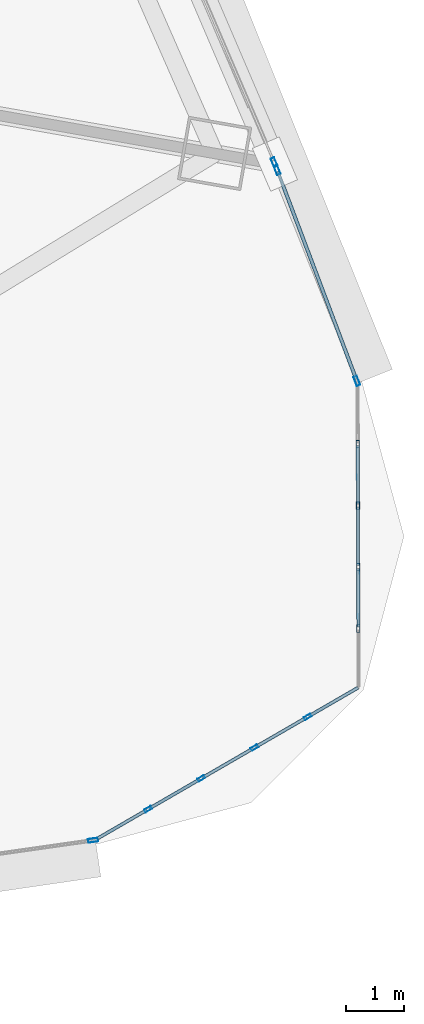
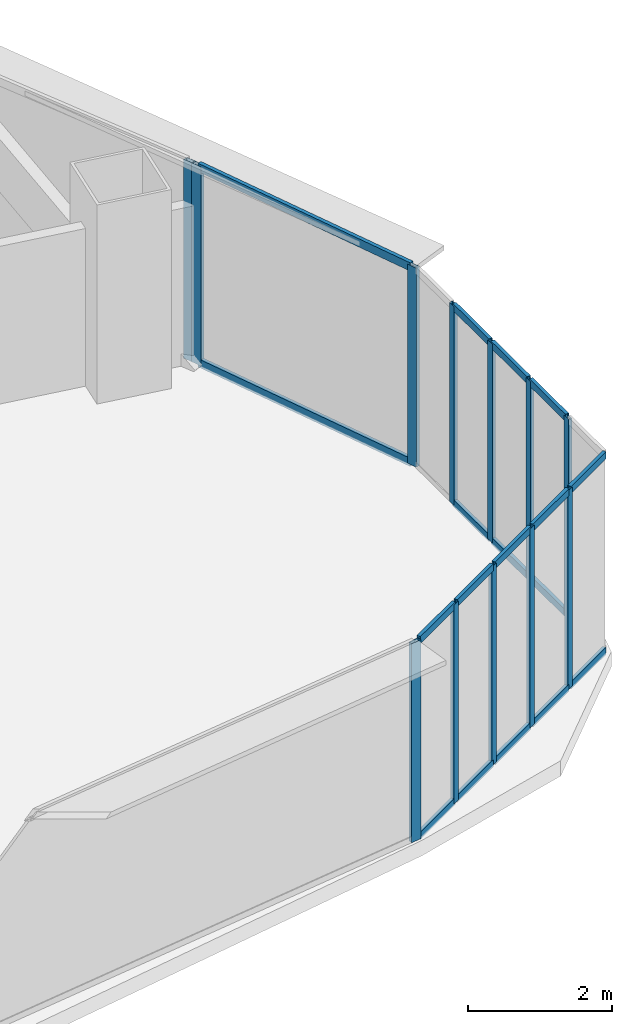
# One storey, part 22 of 41: 30 members, 5 elements without a shape of their own.
"""IFC4 building model written with IfcOpenShell, lengths in metres."""

import ifcopenshell
import ifcopenshell.guid

model = None  # the IFC model being written
_history = None  # IfcOwnerHistory: only IFC2X3 demands one
_inside = {}  # id of a spatial element -> (the spatial element, [elements in it])
_under = {}  # id of a project, library or spatial element -> (it, [spatial elements below it])
_declared = {}  # id of a project -> (the project, [libraries it declares])
_typed = {}  # id of a type object -> (the type object, [elements of that type])
_made_of = {}  # id of a material, layer set ... -> (it, [elements and type objects made of it])


def new_model(schema):
    """Start an empty IFC model of exactly this schema.

    Asked for "IFC4X3", IfcOpenShell would pick the latest addendum, in which some entities
    have other attributes; the version numbers below select the first issue.
    IFC2X3 requires an IfcOwnerHistory on every rooted entity: one is made here for all.
    """
    global model, _history
    if schema == "IFC4X3":
        model = ifcopenshell.file(schema_version=(4, 3, 0, 0))
    else:
        model = ifcopenshell.file(schema=schema)
    _inside.clear()
    _under.clear()
    _declared.clear()
    _typed.clear()
    _made_of.clear()
    _history = None
    if model.schema == "IFC2X3":
        org = make("IfcOrganization", Name="unknown")
        user = make(
            "IfcPersonAndOrganization",
            ThePerson=make("IfcPerson", FamilyName="unknown"),
            TheOrganization=org,
        )
        app = make(
            "IfcApplication",
            ApplicationDeveloper=org,
            Version="unknown",
            ApplicationFullName="unknown",
            ApplicationIdentifier="unknown",
        )
        _history = make(
            "IfcOwnerHistory",
            OwningUser=user,
            OwningApplication=app,
            ChangeAction="ADDED",
            CreationDate=0,
        )
    return model


def make(cls, **values):
    """One entity of the class cls with the attributes given. An attribute that is None is left unset."""
    return model.create_entity(
        cls, **{name: value for name, value in values.items() if value is not None}
    )


def rooted(cls, **values):
    """An entity with a GlobalId (a new one), such as an element, a storey or a relation."""
    return make(cls, GlobalId=ifcopenshell.guid.new(), OwnerHistory=_history, **values)


def si_unit(unit_type, name, prefix=None):
    """IfcSIUnit, for example si_unit("LENGTHUNIT", "METRE", prefix="MILLI")."""
    return make("IfcSIUnit", UnitType=unit_type, Prefix=prefix, Name=name)


def assignment(units):
    """IfcUnitAssignment: the units of a project."""
    return None if units is None else make("IfcUnitAssignment", Units=units)


def point(xyz):
    """IfcCartesianPoint."""
    return None if xyz is None else make("IfcCartesianPoint", Coordinates=xyz)


def direction(xyz):
    """IfcDirection."""
    return None if xyz is None else make("IfcDirection", DirectionRatios=xyz)


def frame(location, z_axis=None, x_axis=None):
    """IfcAxis2Placement3D, a coordinate frame: its origin and axes. An axis left out is left unset."""
    return make(
        "IfcAxis2Placement3D",
        Location=point(location),
        Axis=direction(z_axis),
        RefDirection=direction(x_axis),
    )


def frame_2d(location, x_axis=None):
    """IfcAxis2Placement2D, a coordinate frame in the plane: its origin and x axis."""
    return make(
        "IfcAxis2Placement2D", Location=point(location), RefDirection=direction(x_axis)
    )


def origin():
    """The frame at (0, 0, 0) with its axes left unset."""
    return frame((0.0, 0.0, 0.0))


def origin_2d():
    """The frame at (0, 0) in the plane with its x axis left unset."""
    return frame_2d((0.0, 0.0))


def place(relative_to, where):
    """IfcLocalPlacement: puts the frame where relative to a parent placement (None: the world)."""
    return make(
        "IfcLocalPlacement", PlacementRelTo=relative_to, RelativePlacement=where
    )


def context(
    kind, dimensions, precision=None, world=None, true_north=None, identifier=None
):
    """IfcGeometricRepresentationContext, for example the 3D "Model" context."""
    return make(
        "IfcGeometricRepresentationContext",
        ContextIdentifier=identifier,
        ContextType=kind,
        CoordinateSpaceDimension=dimensions,
        Precision=precision,
        WorldCoordinateSystem=world,
        TrueNorth=true_north,
    )


def subcontext(parent, identifier, kind, view, scale=None):
    """IfcGeometricRepresentationSubContext, for example "Body" below "Model"."""
    return make(
        "IfcGeometricRepresentationSubContext",
        ContextIdentifier=identifier,
        ContextType=kind,
        ParentContext=parent,
        TargetScale=scale,
        TargetView=view,
    )


def project(units=None, contexts=None):
    """IfcProject with its units and contexts."""
    return rooted(
        "IfcProject",
        Name="project",
        RepresentationContexts=contexts,
        UnitsInContext=assignment(units),
    )


def spatial(cls, under=None, at=None, **own):
    """A site, building, storey or space (cls), placed at a placement, below another one or the project."""
    s = rooted(cls, ObjectPlacement=at, **own)
    if under is not None:
        _under.setdefault(under.id(), (under, []))[1].append(s)
    return s


def profile(cls, at=None, kind="AREA", **sizes):
    """A parametric profile (cls). Its sizes go by their IFC names, for example OverallWidth=200.0."""
    return make(cls, ProfileType=kind, Position=at, **sizes)


def hollow_rectangle(**sizes):
    """IfcRectangleHollowProfileDef."""
    return profile("IfcRectangleHollowProfileDef", **sizes)


def extrude(swept, where, along, depth):
    """IfcExtrudedAreaSolid: the profile swept, set in the frame where, extruded along a direction by depth."""
    return make(
        "IfcExtrudedAreaSolid",
        SweptArea=swept,
        Position=where,
        ExtrudedDirection=direction(along),
        Depth=depth,
    )


def shape(context_of_items, identifier, shape_type, items):
    """IfcShapeRepresentation: the items that make up one representation, for example the "Body"."""
    return make(
        "IfcShapeRepresentation",
        ContextOfItems=context_of_items,
        RepresentationIdentifier=identifier,
        RepresentationType=shape_type,
        Items=items,
    )


def source(mapping_origin, context_of_items, identifier, shape_type, items):
    """IfcRepresentationMap: a shape defined once, which mapped items show again and again."""
    return make(
        "IfcRepresentationMap",
        MappingOrigin=mapping_origin,
        MappedRepresentation=shape(context_of_items, identifier, shape_type, items),
    )


def transform(
    local_origin,
    x_axis=None,
    y_axis=None,
    z_axis=None,
    scale=None,
    scale2=None,
    scale3=None,
    uniform=True,
):
    """IfcCartesianTransformationOperator3D, or its non-uniform kind. x_axis, y_axis, z_axis: its Axis1, 2, 3."""
    if uniform:
        return make(
            "IfcCartesianTransformationOperator3D",
            Axis1=direction(x_axis),
            Axis2=direction(y_axis),
            LocalOrigin=point(local_origin),
            Scale=scale,
            Axis3=direction(z_axis),
        )
    return make(
        "IfcCartesianTransformationOperator3DnonUniform",
        Axis1=direction(x_axis),
        Axis2=direction(y_axis),
        LocalOrigin=point(local_origin),
        Scale=scale,
        Axis3=direction(z_axis),
        Scale2=scale2,
        Scale3=scale3,
    )


def mapped(mapping_source, mapping_target):
    """IfcMappedItem: shows the shape of a source again, moved by a transform."""
    return make(
        "IfcMappedItem", MappingSource=mapping_source, MappingTarget=mapping_target
    )


def material(Name=None, Category=None):
    """IfcMaterial."""
    return make("IfcMaterial", Name=Name, Category=Category)


def layer(
    of_material, thickness, ventilated=None, Name=None, Category=None, Priority=None
):
    """IfcMaterialLayer: one layer of a wall or slab, of a material (None: an air gap)."""
    return make(
        "IfcMaterialLayer",
        Material=of_material,
        LayerThickness=thickness,
        IsVentilated=ventilated,
        Name=Name,
        Category=Category,
        Priority=Priority,
    )


def layer_set(layers, Name=None):
    """IfcMaterialLayerSet."""
    return make("IfcMaterialLayerSet", MaterialLayers=layers, LayerSetName=Name)


def material_profile(
    of_material, cross_section, Name=None, Category=None, Priority=None
):
    """IfcMaterialProfile: a cross section and its material."""
    return make(
        "IfcMaterialProfile",
        Name=Name,
        Material=of_material,
        Profile=cross_section,
        Priority=Priority,
        Category=Category,
    )


def profile_set(profiles, Name=None, composite=None):
    """IfcMaterialProfileSet."""
    return make(
        "IfcMaterialProfileSet",
        Name=Name,
        MaterialProfiles=profiles,
        CompositeProfile=composite,
    )


def made_of(thing, what):
    """Note that an element or type object is made of a material, layer set ...; save() writes the relation."""
    if what is not None:
        _made_of.setdefault(what.id(), (what, []))[1].append(thing)
    return thing


def type_object(cls, material=None, **own):
    """A type object (cls), such as IfcWallType, which elements share."""
    return made_of(rooted(cls, **own), material)


def element(
    cls,
    number,
    at=None,
    inside=None,
    cuts=None,
    type_object=None,
    material=None,
    context=None,
    identifier="Body",
    shape_type=None,
    held_by="IfcProductDefinitionShape",
    body=None,
    shapes=None,
    **own,
):
    """One element of the class cls, such as IfcWall. Its Tag is "e" and its number.

    at: its placement. inside: the storey or other place that contains it. cuts: it is an
    opening in that element (IfcRelVoidsElement). A single representation is given by context,
    identifier, shape_type and body (its items); several are given by shapes. held_by: the class
    of the entity that holds the representations. save() writes the other relations.
    """
    e = rooted(cls, Tag="e%d" % number, ObjectPlacement=at, **own)
    if body is not None:
        shapes = [shape(context, identifier, shape_type, body)]
    if shapes is not None:
        e.Representation = make(held_by, Representations=shapes)
    if inside is not None:
        _inside.setdefault(inside.id(), (inside, []))[1].append(e)
    if cuts is not None:
        rooted(
            "IfcRelVoidsElement", RelatingBuildingElement=cuts, RelatedOpeningElement=e
        )
    if type_object is not None:
        _typed.setdefault(type_object.id(), (type_object, []))[1].append(e)
    return made_of(e, material)


def aggregate(whole, parts):
    """IfcRelAggregates: a whole, such as a stair, and the parts it consists of."""
    return rooted("IfcRelAggregates", RelatingObject=whole, RelatedObjects=parts)


def save(model, path):
    """Write the relations noted so far, then the file.

    IfcRelAggregates (storeys below a building ...), IfcRelContainedInSpatialStructure (elements
    in a storey), IfcRelDefinesByType, IfcRelAssociatesMaterial and IfcRelDeclares: one each for
    every whole, place, type object, material and project.
    """
    for whole, parts in _under.values():
        aggregate(whole, parts)
    for where, things in _inside.values():
        rooted(
            "IfcRelContainedInSpatialStructure",
            RelatedElements=things,
            RelatingStructure=where,
        )
    for kind, things in _typed.values():
        rooted("IfcRelDefinesByType", RelatedObjects=things, RelatingType=kind)
    for what, things in _made_of.values():
        rooted("IfcRelAssociatesMaterial", RelatedObjects=things, RelatingMaterial=what)
    for by, libraries in _declared.values():
        rooted("IfcRelDeclares", RelatingContext=by, RelatedDefinitions=libraries)
    model.write(path)


model = new_model("IFC4")

# Units and contexts
model_context = context("Model", 3, precision=1e-05, world=origin(), true_north=direction((0.0, 1.0)))
body_context = subcontext(model_context, "Body", "Model", "MODEL_VIEW")
ifc_project = project(units=[si_unit("LENGTHUNIT", "METRE"), si_unit("AREAUNIT", "SQUARE_METRE"), si_unit("VOLUMEUNIT", "CUBIC_METRE"), si_unit("PLANEANGLEUNIT", "RADIAN"), si_unit("MASSUNIT", "GRAM", prefix="KILO"), si_unit("THERMODYNAMICTEMPERATUREUNIT", "KELVIN"), si_unit("POWERUNIT", "WATT")], contexts=[model_context])

# Site, building, storey
site_placement = place(None, origin())
site = spatial("IfcSite", under=ifc_project, at=site_placement, CompositionType="ELEMENT")
building_placement = place(site_placement, origin())
building = spatial("IfcBuilding", under=site, at=building_placement, Name="Yunzhuo Pagoda Commons", CompositionType="ELEMENT")
storey_placement = place(building_placement, frame((0.0, 0.0, 63.070068359375)))
storey = spatial("IfcBuildingStorey", under=building, at=storey_placement, Name="L16", CompositionType="ELEMENT", Elevation=63.070068359375)

# Curtain wall, member
ifc_material = material(Name="Anodized aluminium 6063-T6", Category="aluminium")
ifc_layer_1 = layer(ifc_material, 0.1650390625)
ifc_layer_set_1 = layer_set([ifc_layer_1], Name="Anodized aluminium 6063-T6")
curtain_wall_type_1 = type_object("IfcCurtainWallType", Name="CW-LOW Low-Zone Ribbon Curtain Wall", PredefinedType="NOTDEFINED", material=ifc_layer_set_1)
curtain_wall_1_placement = place(storey_placement, origin())
curtain_wall_1 = element("IfcCurtainWall", 1, at=curtain_wall_1_placement, inside=storey, type_object=curtain_wall_type_1, Name="L16 curtain wall CW-L16-F1B5", PredefinedType="NOTDEFINED")
ifc_material_profile_1 = material_profile(ifc_material, hollow_rectangle(XDim=0.06494140625, YDim=0.1650390625, WallThickness=0.00390625, at=origin_2d()), Name="Anodized aluminium 6063-T6")
ifc_profile_set_1 = profile_set([ifc_material_profile_1], Name="Anodized aluminium 6063-T6")
member_type_1 = type_object("IfcMemberType", Name="CW-LOW-M Mullion RHS 165x65x4", PredefinedType="MULLION", material=ifc_profile_set_1)
shared_shape_1 = source(origin(), body_context, "Body", "SweptSolid", [
    extrude(hollow_rectangle(XDim=0.06494140625, YDim=0.1650390625, WallThickness=0.00390625, at=origin_2d()), origin(), (0.0, 0.0, 1.0), 3.369873046875),
])
member_1_placement = place(storey_placement, frame((85.9619140625, 14.861083984375, 0.0), z_axis=(0.0, 0.0, 1.0), x_axis=(-0.141139872999, 0.989989664719, 0.0)))
member_1 = element("IfcMember", 2, at=member_1_placement, type_object=member_type_1, Name="CW mullion 2", PredefinedType="MULLION", context=body_context, shape_type="MappedRepresentation", body=[
    mapped(shared_shape_1, transform((0.0, 0.0, 0.0), scale=1.0)),
])
aggregate(curtain_wall_1, [member_1])

curtain_wall_2_placement = place(storey_placement, origin())
curtain_wall_2 = element("IfcCurtainWall", 3, at=curtain_wall_2_placement, inside=storey, type_object=curtain_wall_type_1, Name="L16 curtain wall CW-L16-F2B2", PredefinedType="NOTDEFINED")
member_2_placement = place(storey_placement, frame((89.06884765625, 26.486083984375, 0.0), z_axis=(0.0, 0.0, 1.0), x_axis=(-0.919121093161, -0.39397514656, 0.0)))
member_2 = element("IfcMember", 4, at=member_2_placement, type_object=member_type_1, Name="CW mullion 1", PredefinedType="MULLION", context=body_context, shape_type="MappedRepresentation", body=[
    mapped(shared_shape_1, transform((0.0, 0.0, 0.0), scale=1.0)),
])
aggregate(curtain_wall_2, [member_2])

# Curtain wall, members
curtain_wall_3_placement = place(storey_placement, origin())
curtain_wall_3 = element("IfcCurtainWall", 5, at=curtain_wall_3_placement, inside=storey, type_object=curtain_wall_type_1, Name="L16 curtain wall CW-L16-F2B1", PredefinedType="NOTDEFINED")
member_3_placement = place(storey_placement, frame((90.485595703125, 22.738525390625, 0.0), z_axis=(0.0, 0.0, 1.0), x_axis=(-0.9355133863, -0.353291245367, 0.0)))
member_3 = element("IfcMember", 6, at=member_3_placement, type_object=member_type_1, Name="CW mullion 1", PredefinedType="MULLION", context=body_context, shape_type="MappedRepresentation", body=[
    mapped(shared_shape_1, transform((0.0, 0.0, 0.0), scale=1.0)),
])
member_4_placement = place(storey_placement, frame((89.11962890625, 26.355712890625, 0.0), z_axis=(0.0, 0.0, 1.0), x_axis=(-0.9355133863, -0.353291245367, 0.0)))
member_4 = element("IfcMember", 7, at=member_4_placement, type_object=member_type_1, Name="CW mullion 2", PredefinedType="MULLION", context=body_context, shape_type="MappedRepresentation", body=[
    mapped(shared_shape_1, transform((0.0, 0.0, 0.0), scale=1.0)),
])

ifc_layer_2 = layer(ifc_material, 0.1298828125)
ifc_layer_set_2 = layer_set([ifc_layer_2], Name="Anodized aluminium 6063-T6")
curtain_wall_type_2 = type_object("IfcCurtainWallType", Name="CW-VTX Rounded Corner Curtain Wall", PredefinedType="NOTDEFINED", material=ifc_layer_set_2)
curtain_wall_4_placement = place(storey_placement, origin())
curtain_wall_4 = element("IfcCurtainWall", 8, at=curtain_wall_4_placement, inside=storey, type_object=curtain_wall_type_2, Name="L16 curtain wall CW-L16-VTX2S1", PredefinedType="NOTDEFINED")
ifc_material_profile_2 = material_profile(ifc_material, hollow_rectangle(XDim=0.054931640625, YDim=0.1298828125, WallThickness=0.00341796875, at=origin_2d()), Name="Anodized aluminium 6063-T6")
ifc_profile_set_2 = profile_set([ifc_material_profile_2], Name="Anodized aluminium 6063-T6")
member_type_2 = type_object("IfcMemberType", Name="CW-VTX-M Mullion RHS 130x55x3.5", PredefinedType="MULLION", material=ifc_profile_set_2)
shared_shape_2 = source(origin(), body_context, "Body", "SweptSolid", [
    extrude(hollow_rectangle(XDim=0.054931640625, YDim=0.1298828125, WallThickness=0.00341796875, at=origin_2d()), origin(), (0.0, 0.0, 1.0), 3.369873046875),
])
member_5_placement = place(storey_placement, frame((86.906494140625, 15.393798828125, 0.0), z_axis=(0.0, 0.0, 1.0), x_axis=(-0.501038514064, 0.865424986596, 0.0)))
member_5 = element("IfcMember", 9, at=member_5_placement, type_object=member_type_2, Name="CW mullion 2", PredefinedType="MULLION", context=body_context, shape_type="MappedRepresentation", body=[
    mapped(shared_shape_2, transform((0.0, 0.0, 0.0), scale=1.0)),
])
member_6_placement = place(storey_placement, frame((87.81884765625, 15.922119140625, 0.0), z_axis=(0.0, 0.0, 1.0), x_axis=(-0.501038514064, 0.865424986596, 0.0)))
member_6 = element("IfcMember", 10, at=member_6_placement, type_object=member_type_2, Name="CW mullion 3", PredefinedType="MULLION", context=body_context, shape_type="MappedRepresentation", body=[
    mapped(shared_shape_2, transform((0.0, 0.0, 0.0), scale=1.0)),
])
member_7_placement = place(storey_placement, frame((88.731201171875, 16.4501953125, 0.0), z_axis=(0.0, 0.0, 1.0), x_axis=(-0.501038514064, 0.865424986596, 0.0)))
member_7 = element("IfcMember", 11, at=member_7_placement, type_object=member_type_2, Name="CW mullion 4", PredefinedType="MULLION", context=body_context, shape_type="MappedRepresentation", body=[
    mapped(shared_shape_2, transform((0.0, 0.0, 0.0), scale=1.0)),
])
member_8_placement = place(storey_placement, frame((89.6435546875, 16.978515625, 0.0), z_axis=(0.0, 0.0, 1.0), x_axis=(-0.501038514064, 0.865424986596, 0.0)))
member_8 = element("IfcMember", 12, at=member_8_placement, type_object=member_type_2, Name="CW mullion 5", PredefinedType="MULLION", context=body_context, shape_type="MappedRepresentation", body=[
    mapped(shared_shape_2, transform((0.0, 0.0, 0.0), scale=1.0)),
])

curtain_wall_5_placement = place(storey_placement, origin())
curtain_wall_5 = element("IfcCurtainWall", 13, at=curtain_wall_5_placement, inside=storey, type_object=curtain_wall_type_2, Name="L16 curtain wall CW-L16-VTX2S2", PredefinedType="NOTDEFINED")
member_9_placement = place(storey_placement, frame((90.51220703125, 18.4912109375, 0.0), z_axis=(0.0, 0.0, 1.0), x_axis=(-0.999993571837, -0.003585566294, 0.0)))
member_9 = element("IfcMember", 14, at=member_9_placement, type_object=member_type_2, Name="CW mullion 2", PredefinedType="MULLION", context=body_context, shape_type="MappedRepresentation", body=[
    mapped(shared_shape_2, transform((0.0, 0.0, 0.0), scale=1.0)),
])
member_10_placement = place(storey_placement, frame((90.508544921875, 19.545654296875, 0.0), z_axis=(0.0, 0.0, 1.0), x_axis=(-0.999993571837, -0.003585566294, 0.0)))
member_10 = element("IfcMember", 15, at=member_10_placement, type_object=member_type_2, Name="CW mullion 3", PredefinedType="MULLION", context=body_context, shape_type="MappedRepresentation", body=[
    mapped(shared_shape_2, transform((0.0, 0.0, 0.0), scale=1.0)),
])
member_11_placement = place(storey_placement, frame((90.504638671875, 20.60009765625, 0.0), z_axis=(0.0, 0.0, 1.0), x_axis=(-0.999993571837, -0.003585566294, 0.0)))
member_11 = element("IfcMember", 16, at=member_11_placement, type_object=member_type_2, Name="CW mullion 4", PredefinedType="MULLION", context=body_context, shape_type="MappedRepresentation", body=[
    mapped(shared_shape_2, transform((0.0, 0.0, 0.0), scale=1.0)),
])
member_12_placement = place(storey_placement, frame((90.5009765625, 21.654052734375, 0.0), z_axis=(0.0, 0.0, 1.0), x_axis=(-0.999993571837, -0.003585566294, 0.0)))
member_12 = element("IfcMember", 17, at=member_12_placement, type_object=member_type_2, Name="CW mullion 5", PredefinedType="MULLION", context=body_context, shape_type="MappedRepresentation", body=[
    mapped(shared_shape_2, transform((0.0, 0.0, 0.0), scale=1.0)),
])

# Member
ifc_material_profile_3 = material_profile(ifc_material, hollow_rectangle(XDim=0.06005859375, YDim=0.139892578125, WallThickness=0.00341796875, at=origin_2d()), Name="Anodized aluminium 6063-T6")
ifc_profile_set_3 = profile_set([ifc_material_profile_3], Name="Anodized aluminium 6063-T6")
member_type_3 = type_object("IfcMemberType", Name="CW-LOW-T Transom RHS 140x60x3.5", PredefinedType="USERDEFINED", material=ifc_profile_set_3)
shared_shape_3 = source(origin(), body_context, "Body", "SweptSolid", [
    extrude(hollow_rectangle(XDim=0.06005859375, YDim=0.139892578125, WallThickness=0.00341796875, at=origin_2d()), origin(), (0.0, 0.0, 1.0), 3.80126953125),
])
member_13_placement = place(storey_placement, frame((90.47412109375, 22.76904296875, 0.030029296875), z_axis=(-0.353248184637, 0.935529646805, 0.0), x_axis=(-0.935529646805, -0.353248184637, 0.0)))
member_13 = element("IfcMember", 18, at=member_13_placement, type_object=member_type_3, Name="CW transom 1.1", ObjectType="TRANSOM", PredefinedType="USERDEFINED", context=body_context, shape_type="MappedRepresentation", body=[
    mapped(shared_shape_3, transform((0.0, 0.0, 0.0), scale=1.0)),
])

member_14_placement = place(storey_placement, frame((90.47412109375, 22.76904296875, 3.33984375), z_axis=(-0.353248184637, 0.935529646805, 0.0), x_axis=(-0.935529646805, -0.353248184637, 0.0)))
member_14 = element("IfcMember", 19, at=member_14_placement, type_object=member_type_3, Name="CW transom 1.2", ObjectType="TRANSOM", PredefinedType="USERDEFINED", context=body_context, shape_type="MappedRepresentation", body=[
    mapped(shared_shape_3, transform((0.0, 0.0, 0.0), scale=1.0)),
])

aggregate(curtain_wall_3, [member_3, member_4, member_13, member_14])

ifc_material_profile_4 = material_profile(ifc_material, hollow_rectangle(XDim=0.054931640625, YDim=0.1201171875, WallThickness=0.00341796875, at=origin_2d()), Name="Anodized aluminium 6063-T6")
ifc_profile_set_4 = profile_set([ifc_material_profile_4], Name="Anodized aluminium 6063-T6")
member_type_4 = type_object("IfcMemberType", Name="CW-VTX-T Transom RHS 120x55x3.5", PredefinedType="USERDEFINED", material=ifc_profile_set_4)
shared_shape_4 = source(origin(), body_context, "Body", "SweptSolid", [
    extrude(hollow_rectangle(XDim=0.054931640625, YDim=0.1201171875, WallThickness=0.00341796875, at=origin_2d()), origin(), (0.0, 0.0, 1.0), 0.999267578125),
])
member_15_placement = place(storey_placement, frame((86.930419921875, 15.407470703125, 0.02734375), z_axis=(0.86538725222, 0.501103685574, 0.0), x_axis=(-0.501103685574, 0.86538725222, 0.0)))
member_15 = element("IfcMember", 20, at=member_15_placement, type_object=member_type_4, Name="CW transom 2.1", ObjectType="TRANSOM", PredefinedType="USERDEFINED", context=body_context, shape_type="MappedRepresentation", body=[
    mapped(shared_shape_4, transform((0.0, 0.0, 0.0), scale=1.0)),
])

member_16_placement = place(storey_placement, frame((86.930419921875, 15.407470703125, 3.342529296875), z_axis=(0.86538725222, 0.501103685574, 0.0), x_axis=(-0.501103685574, 0.86538725222, 0.0)))
member_16 = element("IfcMember", 21, at=member_16_placement, type_object=member_type_4, Name="CW transom 2.2", ObjectType="TRANSOM", PredefinedType="USERDEFINED", context=body_context, shape_type="MappedRepresentation", body=[
    mapped(shared_shape_4, transform((0.0, 0.0, 0.0), scale=1.0)),
])

member_17_placement = place(storey_placement, frame((88.755126953125, 16.4638671875, 0.02734375), z_axis=(0.86538725222, 0.501103685574, 0.0), x_axis=(-0.501103685574, 0.86538725222, 0.0)))
member_17 = element("IfcMember", 22, at=member_17_placement, type_object=member_type_4, Name="CW transom 4.1", ObjectType="TRANSOM", PredefinedType="USERDEFINED", context=body_context, shape_type="MappedRepresentation", body=[
    mapped(shared_shape_4, transform((0.0, 0.0, 0.0), scale=1.0)),
])

member_18_placement = place(storey_placement, frame((88.755126953125, 16.4638671875, 3.342529296875), z_axis=(0.86538725222, 0.501103685574, 0.0), x_axis=(-0.501103685574, 0.86538725222, 0.0)))
member_18 = element("IfcMember", 23, at=member_18_placement, type_object=member_type_4, Name="CW transom 4.2", ObjectType="TRANSOM", PredefinedType="USERDEFINED", context=body_context, shape_type="MappedRepresentation", body=[
    mapped(shared_shape_4, transform((0.0, 0.0, 0.0), scale=1.0)),
])

member_19_placement = place(storey_placement, frame((90.51220703125, 18.518798828125, 0.02734375), z_axis=(-0.00366476894, 0.999993284712, 0.0), x_axis=(-0.999993284712, -0.00366476894, 0.0)))
member_19 = element("IfcMember", 24, at=member_19_placement, type_object=member_type_4, Name="CW transom 2.1", ObjectType="TRANSOM", PredefinedType="USERDEFINED", context=body_context, shape_type="MappedRepresentation", body=[
    mapped(shared_shape_4, transform((0.0, 0.0, 0.0), scale=1.0)),
])

member_20_placement = place(storey_placement, frame((90.51220703125, 18.518798828125, 3.342529296875), z_axis=(-0.00366476894, 0.999993284712, 0.0), x_axis=(-0.999993284712, -0.00366476894, 0.0)))
member_20 = element("IfcMember", 25, at=member_20_placement, type_object=member_type_4, Name="CW transom 2.2", ObjectType="TRANSOM", PredefinedType="USERDEFINED", context=body_context, shape_type="MappedRepresentation", body=[
    mapped(shared_shape_4, transform((0.0, 0.0, 0.0), scale=1.0)),
])

member_21_placement = place(storey_placement, frame((90.50830078125, 19.572998046875, 0.02734375), z_axis=(-0.00366476894, 0.999993284712, 0.0), x_axis=(-0.999993284712, -0.00366476894, 0.0)))
member_21 = element("IfcMember", 26, at=member_21_placement, type_object=member_type_4, Name="CW transom 3.1", ObjectType="TRANSOM", PredefinedType="USERDEFINED", context=body_context, shape_type="MappedRepresentation", body=[
    mapped(shared_shape_4, transform((0.0, 0.0, 0.0), scale=1.0)),
])

member_22_placement = place(storey_placement, frame((90.50830078125, 19.572998046875, 3.342529296875), z_axis=(-0.00366476894, 0.999993284712, 0.0), x_axis=(-0.999993284712, -0.00366476894, 0.0)))
member_22 = element("IfcMember", 27, at=member_22_placement, type_object=member_type_4, Name="CW transom 3.2", ObjectType="TRANSOM", PredefinedType="USERDEFINED", context=body_context, shape_type="MappedRepresentation", body=[
    mapped(shared_shape_4, transform((0.0, 0.0, 0.0), scale=1.0)),
])

member_23_placement = place(storey_placement, frame((90.504638671875, 20.627197265625, 0.02734375), z_axis=(-0.00366476894, 0.999993284712, 0.0), x_axis=(-0.999993284712, -0.00366476894, 0.0)))
member_23 = element("IfcMember", 28, at=member_23_placement, type_object=member_type_4, Name="CW transom 4.1", ObjectType="TRANSOM", PredefinedType="USERDEFINED", context=body_context, shape_type="MappedRepresentation", body=[
    mapped(shared_shape_4, transform((0.0, 0.0, 0.0), scale=1.0)),
])

member_24_placement = place(storey_placement, frame((90.504638671875, 20.627197265625, 3.342529296875), z_axis=(-0.00366476894, 0.999993284712, 0.0), x_axis=(-0.999993284712, -0.00366476894, 0.0)))
member_24 = element("IfcMember", 29, at=member_24_placement, type_object=member_type_4, Name="CW transom 4.2", ObjectType="TRANSOM", PredefinedType="USERDEFINED", context=body_context, shape_type="MappedRepresentation", body=[
    mapped(shared_shape_4, transform((0.0, 0.0, 0.0), scale=1.0)),
])

aggregate(curtain_wall_5, [member_9, member_10, member_11, member_12, member_19, member_20, member_21, member_22, member_23, member_24])

shared_shape_5 = source(origin(), body_context, "Body", "SweptSolid", [
    extrude(hollow_rectangle(XDim=0.054931640625, YDim=0.1201171875, WallThickness=0.00341796875, at=origin_2d()), origin(), (0.0, 0.0, 1.0), 0.97216796875),
])
member_25_placement = place(storey_placement, frame((86.041748046875, 14.89306640625, 0.02734375), z_axis=(0.865432016859, 0.501026370758, 0.0), x_axis=(-0.501026370758, 0.865432016859, 0.0)))
member_25 = element("IfcMember", 30, at=member_25_placement, type_object=member_type_4, Name="CW transom 1.1", ObjectType="TRANSOM", PredefinedType="USERDEFINED", context=body_context, shape_type="MappedRepresentation", body=[
    mapped(shared_shape_5, transform((0.0, 0.0, 0.0), scale=1.0)),
])

member_26_placement = place(storey_placement, frame((86.041748046875, 14.89306640625, 3.342529296875), z_axis=(0.865432016859, 0.501026370758, 0.0), x_axis=(-0.501026370758, 0.865432016859, 0.0)))
member_26 = element("IfcMember", 31, at=member_26_placement, type_object=member_type_4, Name="CW transom 1.2", ObjectType="TRANSOM", PredefinedType="USERDEFINED", context=body_context, shape_type="MappedRepresentation", body=[
    mapped(shared_shape_5, transform((0.0, 0.0, 0.0), scale=1.0)),
])

shared_shape_6 = source(origin(), body_context, "Body", "SweptSolid", [
    extrude(hollow_rectangle(XDim=0.054931640625, YDim=0.1201171875, WallThickness=0.00341796875, at=origin_2d()), origin(), (0.0, 0.0, 1.0), 0.99951171875),
])
member_27_placement = place(storey_placement, frame((87.8427734375, 15.935791015625, 0.02734375), z_axis=(0.86544858313, 0.500997754445, 0.0), x_axis=(-0.500997754445, 0.86544858313, 0.0)))
member_27 = element("IfcMember", 32, at=member_27_placement, type_object=member_type_4, Name="CW transom 3.1", ObjectType="TRANSOM", PredefinedType="USERDEFINED", context=body_context, shape_type="MappedRepresentation", body=[
    mapped(shared_shape_6, transform((0.0, 0.0, 0.0), scale=1.0)),
])

member_28_placement = place(storey_placement, frame((87.8427734375, 15.935791015625, 3.342529296875), z_axis=(0.86544858313, 0.500997754445, 0.0), x_axis=(-0.500997754445, 0.86544858313, 0.0)))
member_28 = element("IfcMember", 33, at=member_28_placement, type_object=member_type_4, Name="CW transom 3.2", ObjectType="TRANSOM", PredefinedType="USERDEFINED", context=body_context, shape_type="MappedRepresentation", body=[
    mapped(shared_shape_6, transform((0.0, 0.0, 0.0), scale=1.0)),
])

shared_shape_7 = source(origin(), body_context, "Body", "SweptSolid", [
    extrude(hollow_rectangle(XDim=0.054931640625, YDim=0.1201171875, WallThickness=0.00341796875, at=origin_2d()), origin(), (0.0, 0.0, 1.0), 0.97119140625),
])
member_29_placement = place(storey_placement, frame((89.667724609375, 16.992431640625, 0.02734375), z_axis=(0.865460703151, 0.50097681713, 0.0), x_axis=(-0.50097681713, 0.865460703151, 0.0)))
member_29 = element("IfcMember", 34, at=member_29_placement, type_object=member_type_4, Name="CW transom 5.1", ObjectType="TRANSOM", PredefinedType="USERDEFINED", context=body_context, shape_type="MappedRepresentation", body=[
    mapped(shared_shape_7, transform((0.0, 0.0, 0.0), scale=1.0)),
])

member_30_placement = place(storey_placement, frame((89.667724609375, 16.992431640625, 3.342529296875), z_axis=(0.865460703151, 0.50097681713, 0.0), x_axis=(-0.50097681713, 0.865460703151, 0.0)))
member_30 = element("IfcMember", 35, at=member_30_placement, type_object=member_type_4, Name="CW transom 5.2", ObjectType="TRANSOM", PredefinedType="USERDEFINED", context=body_context, shape_type="MappedRepresentation", body=[
    mapped(shared_shape_7, transform((0.0, 0.0, 0.0), scale=1.0)),
])

aggregate(curtain_wall_4, [member_5, member_6, member_7, member_8, member_25, member_26, member_15, member_16, member_27, member_28, member_17, member_18, member_29, member_30])

save(model, "model.ifc")
